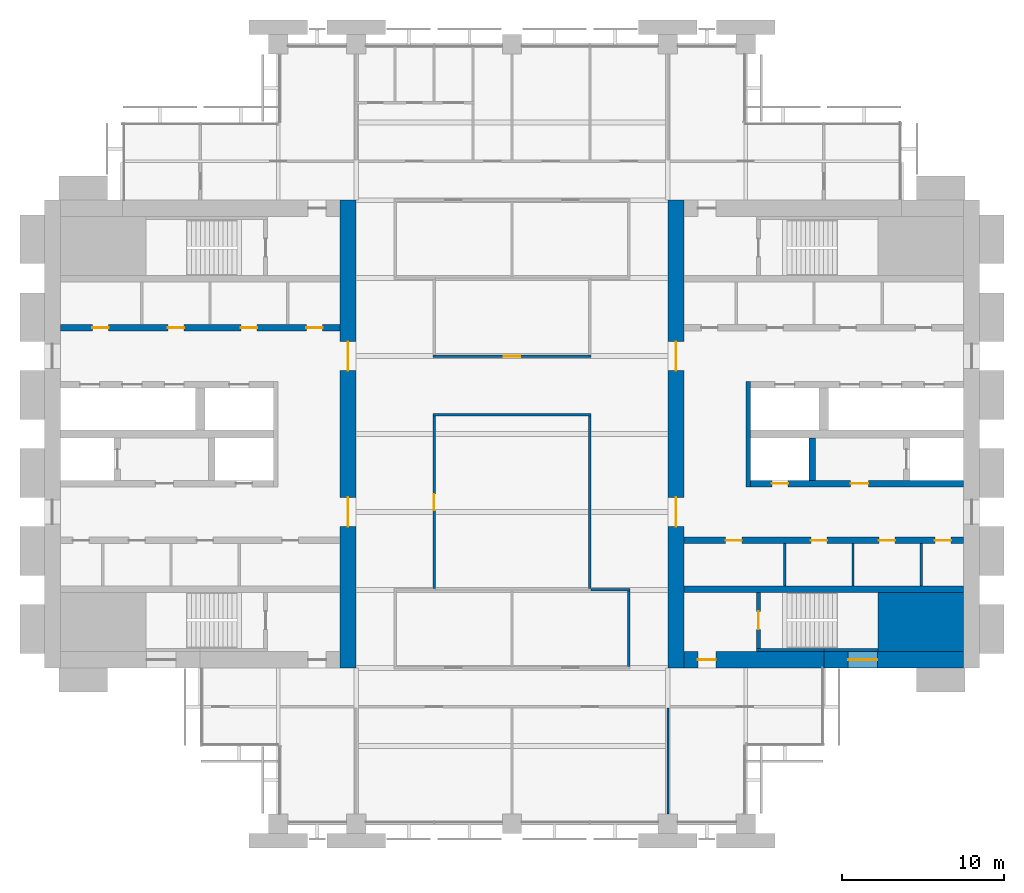
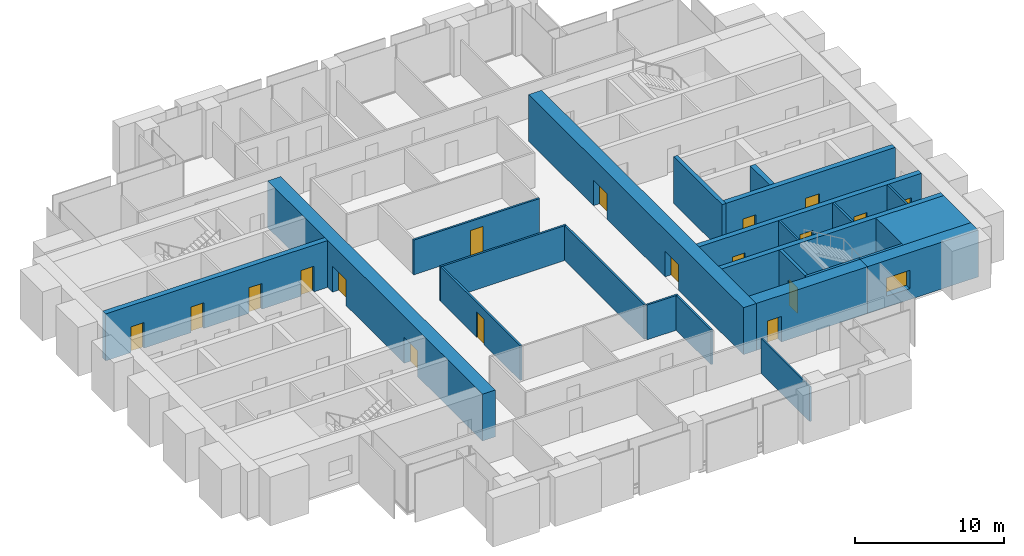
# One storey, part 10 of 14: 24 walls, 18 doors, 1 window, 19 openings.
"""IFC4 building model written with IfcOpenShell, lengths in metres."""

from ifc_helpers import new_model, si_unit, direction, frame, frame_2d, origin, place, context, subcontext, project, spatial, rectangle, extrude, material, layer, layer_set, type_object, element, fill, save


model = new_model("IFC4")

# Units and contexts
model_context = context("Model", 3, precision=1e-05, world=origin(), true_north=direction((0.0, 1.0)))
body_context = subcontext(model_context, "Body", "Model", "MODEL_VIEW")
ifc_project = project(units=[si_unit("LENGTHUNIT", "METRE"), si_unit("AREAUNIT", "SQUARE_METRE"), si_unit("VOLUMEUNIT", "CUBIC_METRE"), si_unit("PLANEANGLEUNIT", "RADIAN"), si_unit("MASSUNIT", "GRAM", prefix="KILO")], contexts=[model_context])

# Site, building, storey
site_placement = place(None, origin())
site = spatial("IfcSite", under=ifc_project, at=site_placement, CompositionType="ELEMENT")
building_placement = place(site_placement, origin())
building = spatial("IfcBuilding", under=site, at=building_placement, Name="Baori Bourse Tower", CompositionType="ELEMENT")
storey_placement = place(building_placement, frame((0.0, 0.0, 136.10009765625)))
storey = spatial("IfcBuildingStorey", under=building, at=storey_placement, Name="L29", CompositionType="ELEMENT", Elevation=136.10009765625)

# Walls
ifc_material_1 = material(Name="Concrete f'c 60 MPa", Category="concrete")
wall_type_1 = type_object("IfcWallType", Name="Core corner block f'c 60", PredefinedType="SHEAR", material=ifc_material_1)
wall_1_placement = place(storey_placement, frame((51.35009765625, 12.425048828125, 0.0), z_axis=(0.0, 0.0, 1.0), x_axis=(1.0, 0.0, 0.0)))
element("IfcWall", 1, at=wall_1_placement, inside=storey, type_object=wall_type_1, Name="Core wall E05", PredefinedType="SHEAR", context=body_context, shape_type="SweptSolid", body=[
    extrude(rectangle(XDim=5.25, YDim=3.64990234375, at=frame_2d((2.625, 0.0))), origin(), (0.0, 0.0, 1.0), 3.83984375),
])
ifc_material_2 = material(Name="Blockwork partition", Category="masonry")
ifc_layer_1 = layer(ifc_material_2, 0.14990234375)
ifc_layer_set_1 = layer_set([ifc_layer_1], Name="Core partition 150")
wall_type_2 = type_object("IfcWallType", Name="Core partition 150", PredefinedType="PARTITIONING", material=ifc_layer_set_1)
for number, where, z_axis, x_axis, name in (
    (2, (54.0, 14.64990234375, 0.0), (0.0, 0.0, 1.0), (0.0, 1.0, 0.0), "Partition wall E10"),
    (3, (49.800048828125, 14.64990234375, 0.0), (0.0, 0.0, 1.0), (0.0, 1.0, 0.0), "Partition wall E11"),
    (4, (45.60009765625, 14.64990234375, 0.0), (0.0, 0.0, 1.0), (0.0, 1.0, 0.0), "Partition wall E12"),
):
    element("IfcWall", number, at=place(storey_placement, frame(where, z_axis=z_axis, x_axis=x_axis)), inside=storey, type_object=wall_type_2, Name=name, PredefinedType="PARTITIONING", context=body_context, shape_type="SweptSolid", body=[
        extrude(rectangle(XDim=2.60009765625, YDim=0.14990234375, at=frame_2d((1.300048828125, 0.0))), origin(), (0.0, 0.0, 1.0), 3.83984375),
    ])

# Wall, openings, doors
ifc_material_3 = material(Name="Concrete f'c 60 MPa", Category="concrete")
ifc_layer_2 = layer(ifc_material_3, 1.0)
ifc_layer_set_2 = layer_set([ifc_layer_2], Name="Core wall 1000 f'c 60")
wall_type_3 = type_object("IfcWallType", Name="Core wall 1000 f'c 60", PredefinedType="SHEAR", material=ifc_layer_set_2)
wall_2_placement = place(storey_placement, frame((18.699951171875, 38.39990234375, 0.0), z_axis=(0.0, 0.0, 1.0), x_axis=(0.0, -1.0, 0.0)))
wall_2 = element("IfcWall", 5, at=wall_2_placement, inside=storey, type_object=wall_type_3, Name="Core wall W04", PredefinedType="SHEAR", context=body_context, shape_type="SweptSolid", body=[
    extrude(rectangle(XDim=28.7998046875, YDim=1.0, at=frame_2d((14.39990234375, 0.0))), origin(), (0.0, 0.0, 1.0), 3.83984375),
])
opening_1_placement = place(wall_2_placement, frame((18.300048828125, 0.0, 0.0)))
opening_1 = element("IfcOpeningElement", 6, at=opening_1_placement, cuts=wall_2, Name="Opening L29-D107", PredefinedType="OPENING", context=body_context, shape_type="SweptSolid", body=[
    extrude(rectangle(XDim=1.800048828125, YDim=2.10009765625, at=frame_2d((0.89990234375, 1.050048828125))), frame((0.0, 0.510009765625, 0.0), z_axis=(0.0, -1.0, 0.0), x_axis=(1.0, 0.0, 0.0)), (0.0, 0.0, 1.0), 1.02001953125),
])
opening_2_placement = place(wall_2_placement, frame((8.699951171875, 0.0, 0.0)))
opening_2 = element("IfcOpeningElement", 7, at=opening_2_placement, cuts=wall_2, Name="Opening L29-D108", PredefinedType="OPENING", context=body_context, shape_type="SweptSolid", body=[
    extrude(rectangle(XDim=1.800048828125, YDim=2.10009765625, at=frame_2d((0.89990234375, 1.050048828125))), frame((0.0, 0.510009765625, 0.0), z_axis=(0.0, -1.0, 0.0), x_axis=(1.0, 0.0, 0.0)), (0.0, 0.0, 1.0), 1.02001953125),
])
ifc_material_4 = material(Name="Painted steel door", Category="steel")
door_type_1 = type_object("IfcDoorType", Name="Core lobby door 1800", OperationType="DOUBLE_DOOR_SINGLE_SWING", PredefinedType="DOOR", material=ifc_material_4)
door_1_placement = place(opening_1_placement, origin())
door_1 = element("IfcDoor", 8, at=door_1_placement, inside=storey, type_object=door_type_1, Name="Lobby door W L29", OperationType="DOUBLE_DOOR_SINGLE_SWING", OverallHeight=2.10009765625, OverallWidth=1.800048828125, PredefinedType="DOOR", context=body_context, shape_type="SweptSolid", body=[
    extrude(rectangle(XDim=1.800048828125, YDim=2.10009765625, at=frame_2d((0.89990234375, 1.050048828125))), frame((0.0, 0.02490234375, 0.0), z_axis=(0.0, -1.0, 0.0), x_axis=(1.0, 0.0, 0.0)), (0.0, 0.0, 1.0), 0.050048828125),
])
fill(opening_1, door_1)
door_2_placement = place(opening_2_placement, origin())
door_2 = element("IfcDoor", 9, at=door_2_placement, inside=storey, type_object=door_type_1, Name="Lobby door W L29", OperationType="DOUBLE_DOOR_SINGLE_SWING", OverallHeight=2.10009765625, OverallWidth=1.800048828125, PredefinedType="DOOR", context=body_context, shape_type="SweptSolid", body=[
    extrude(rectangle(XDim=1.800048828125, YDim=2.10009765625, at=frame_2d((0.89990234375, 1.050048828125))), frame((0.0, 0.02490234375, 0.0), z_axis=(0.0, -1.0, 0.0), x_axis=(1.0, 0.0, 0.0)), (0.0, 0.0, 1.0), 0.050048828125),
])
fill(opening_2, door_2)

# Wall, opening, window
wall_3_placement = place(storey_placement, frame((56.60009765625, 10.10009765625, 0.0), z_axis=(0.0, 0.0, 1.0), x_axis=(-1.0, 0.0, 0.0)))
wall_3 = element("IfcWall", 10, at=wall_3_placement, inside=storey, type_object=wall_type_3, Name="Core wall E02", PredefinedType="SHEAR", context=body_context, shape_type="SweptSolid", body=[
    extrude(rectangle(XDim=8.60009765625, YDim=1.0, at=frame_2d((4.300048828125, 0.0))), origin(), (0.0, 0.0, 1.0), 3.83984375),
])
opening_3_placement = place(wall_3_placement, frame((5.300048828125, 0.0, 0.89990234375)))
opening_3 = element("IfcOpeningElement", 11, at=opening_3_placement, cuts=wall_3, Name="Opening L29-KW203", PredefinedType="OPENING", context=body_context, shape_type="SweptSolid", body=[
    extrude(rectangle(XDim=1.800048828125, YDim=1.5, at=frame_2d((0.89990234375, 0.75))), frame((0.0, 0.510009765625, 0.0), z_axis=(0.0, -1.0, 0.0), x_axis=(1.0, 0.0, 0.0)), (0.0, 0.0, 1.0), 1.02001953125),
])
ifc_material_5 = material(Name="Pale anodised aluminium", Category="aluminium")
window_type = type_object("IfcWindowType", Name="Stair window 1800 x 1500", PartitioningType="SINGLE_PANEL", PredefinedType="WINDOW", material=ifc_material_5)
window_placement = place(opening_3_placement, origin())
window = element("IfcWindow", 12, at=window_placement, inside=storey, type_object=window_type, Name="Stair window E L29 3", OverallHeight=1.5, OverallWidth=1.800048828125, PartitioningType="SINGLE_PANEL", PredefinedType="WINDOW", context=body_context, shape_type="SweptSolid", body=[
    extrude(rectangle(XDim=1.800048828125, YDim=1.5, at=frame_2d((0.89990234375, 0.75))), frame((0.0, 0.030029296875, 0.0), z_axis=(0.0, -1.0, 0.0), x_axis=(1.0, 0.0, 0.0)), (0.0, 0.0, 1.0), 0.06005859375),
])
fill(opening_3, window)

# Wall, opening, door
wall_4_placement = place(storey_placement, frame((48.0, 10.10009765625, 0.0), z_axis=(0.0, 0.0, 1.0), x_axis=(-1.0, 0.0, 0.0)))
wall_4 = element("IfcWall", 13, at=wall_4_placement, inside=storey, type_object=wall_type_3, Name="Core wall E03", PredefinedType="SHEAR", context=body_context, shape_type="SweptSolid", body=[
    extrude(rectangle(XDim=8.60009765625, YDim=1.0, at=frame_2d((4.300048828125, 0.0))), origin(), (0.0, 0.0, 1.0), 3.83984375),
])
opening_4_placement = place(wall_4_placement, frame((6.64990234375, 0.0, 0.0)))
opening_4 = element("IfcOpeningElement", 14, at=opening_4_placement, cuts=wall_4, Name="Opening L29-D202", PredefinedType="OPENING", context=body_context, shape_type="SweptSolid", body=[
    extrude(rectangle(XDim=1.10009765625, YDim=2.10009765625, at=frame_2d((0.550048828125, 1.050048828125))), frame((0.0, 0.510009765625, 0.0), z_axis=(0.0, -1.0, 0.0), x_axis=(1.0, 0.0, 0.0)), (0.0, 0.0, 1.0), 1.02001953125),
])
ifc_material_6 = material(Name="Painted steel door", Category="steel")
door_type_2 = type_object("IfcDoorType", Name="Stair door 1100", OperationType="SINGLE_SWING_LEFT", PredefinedType="DOOR", material=ifc_material_6)
door_3_placement = place(opening_4_placement, origin())
door_3 = element("IfcDoor", 15, at=door_3_placement, inside=storey, type_object=door_type_2, Name="Stair vestibule door A E L29", OperationType="SINGLE_SWING_LEFT", OverallHeight=2.10009765625, OverallWidth=1.10009765625, PredefinedType="DOOR", context=body_context, shape_type="SweptSolid", body=[
    extrude(rectangle(XDim=1.10009765625, YDim=2.10009765625, at=frame_2d((0.550048828125, 1.050048828125))), frame((0.0, 0.02490234375, 0.0), z_axis=(0.0, -1.0, 0.0), x_axis=(1.0, 0.0, 0.0)), (0.0, 0.0, 1.0), 0.050048828125),
])
fill(opening_4, door_3)

# Wall, openings, doors
wall_5_placement = place(storey_placement, frame((38.89990234375, 9.60009765625, 0.0), z_axis=(0.0, 0.0, 1.0), x_axis=(0.0, 1.0, 0.0)))
wall_5 = element("IfcWall", 16, at=wall_5_placement, inside=storey, type_object=wall_type_3, Name="Core wall E04", PredefinedType="SHEAR", context=body_context, shape_type="SweptSolid", body=[
    extrude(rectangle(XDim=28.7998046875, YDim=1.0, at=frame_2d((14.39990234375, 0.0))), origin(), (0.0, 0.0, 1.0), 3.83984375),
])
opening_5_placement = place(wall_5_placement, frame((8.699951171875, 0.0, 0.0)))
opening_5 = element("IfcOpeningElement", 17, at=opening_5_placement, cuts=wall_5, Name="Opening L29-D207", PredefinedType="OPENING", context=body_context, shape_type="SweptSolid", body=[
    extrude(rectangle(XDim=1.800048828125, YDim=2.10009765625, at=frame_2d((0.89990234375, 1.050048828125))), frame((0.0, 0.510009765625, 0.0), z_axis=(0.0, -1.0, 0.0), x_axis=(1.0, 0.0, 0.0)), (0.0, 0.0, 1.0), 1.02001953125),
])
opening_6_placement = place(wall_5_placement, frame((18.300048828125, 0.0, 0.0)))
opening_6 = element("IfcOpeningElement", 18, at=opening_6_placement, cuts=wall_5, Name="Opening L29-D208", PredefinedType="OPENING", context=body_context, shape_type="SweptSolid", body=[
    extrude(rectangle(XDim=1.800048828125, YDim=2.10009765625, at=frame_2d((0.89990234375, 1.050048828125))), frame((0.0, 0.510009765625, 0.0), z_axis=(0.0, -1.0, 0.0), x_axis=(1.0, 0.0, 0.0)), (0.0, 0.0, 1.0), 1.02001953125),
])
door_4_placement = place(opening_5_placement, origin())
door_4 = element("IfcDoor", 19, at=door_4_placement, inside=storey, type_object=door_type_1, Name="Lobby door E L29", OperationType="DOUBLE_DOOR_SINGLE_SWING", OverallHeight=2.10009765625, OverallWidth=1.800048828125, PredefinedType="DOOR", context=body_context, shape_type="SweptSolid", body=[
    extrude(rectangle(XDim=1.800048828125, YDim=2.10009765625, at=frame_2d((0.89990234375, 1.050048828125))), frame((0.0, 0.02490234375, 0.0), z_axis=(0.0, -1.0, 0.0), x_axis=(1.0, 0.0, 0.0)), (0.0, 0.0, 1.0), 0.050048828125),
])
fill(opening_5, door_4)
door_5_placement = place(opening_6_placement, origin())
door_5 = element("IfcDoor", 20, at=door_5_placement, inside=storey, type_object=door_type_1, Name="Lobby door E L29", OperationType="DOUBLE_DOOR_SINGLE_SWING", OverallHeight=2.10009765625, OverallWidth=1.800048828125, PredefinedType="DOOR", context=body_context, shape_type="SweptSolid", body=[
    extrude(rectangle(XDim=1.800048828125, YDim=2.10009765625, at=frame_2d((0.89990234375, 1.050048828125))), frame((0.0, 0.02490234375, 0.0), z_axis=(0.0, -1.0, 0.0), x_axis=(1.0, 0.0, 0.0)), (0.0, 0.0, 1.0), 0.050048828125),
])
fill(opening_6, door_5)

# Walls
ifc_material_7 = material(Name="Gypsum board partition")
ifc_layer_3 = layer(ifc_material_7, 0.14990234375)
ifc_layer_set_3 = layer_set([ifc_layer_3], Name="Corridor partition 150")
wall_type_4 = type_object("IfcWallType", Name="Corridor partition 150", PredefinedType="PARTITIONING", material=ifc_layer_set_3)
wall_6_placement = place(storey_placement, frame((33.675048828125, 14.39990234375, 0.0), z_axis=(0.0, 0.0, 1.0), x_axis=(1.0, 0.0, 0.0)))
element("IfcWall", 21, at=wall_6_placement, inside=storey, type_object=wall_type_4, Name="Partition", PredefinedType="PARTITIONING", context=body_context, shape_type="SweptSolid", body=[
    extrude(rectangle(XDim=2.39990234375, YDim=0.14990234375, at=frame_2d((1.199951171875, 0.0))), origin(), (0.0, 0.0, 1.0), 2.849365234375),
])
wall_7_placement = place(storey_placement, frame((23.925048828125, 25.199951171875, 0.0), z_axis=(0.0, 0.0, 1.0), x_axis=(1.0, 0.0, 0.0)))
element("IfcWall", 22, at=wall_7_placement, inside=storey, type_object=wall_type_4, Name="Partition", PredefinedType="PARTITIONING", context=body_context, shape_type="SweptSolid", body=[
    extrude(rectangle(XDim=9.75, YDim=0.14990234375, at=frame_2d((4.875, 0.0))), origin(), (0.0, 0.0, 1.0), 2.849365234375),
])

# Wall, opening, door
wall_8_placement = place(storey_placement, frame((23.925048828125, 28.800048828125, 0.0), z_axis=(0.0, 0.0, 1.0), x_axis=(1.0, 0.0, 0.0)))
wall_8 = element("IfcWall", 23, at=wall_8_placement, inside=storey, type_object=wall_type_4, Name="Partition", PredefinedType="PARTITIONING", context=body_context, shape_type="SweptSolid", body=[
    extrude(rectangle(XDim=9.75, YDim=0.14990234375, at=frame_2d((4.875, 0.0))), origin(), (0.0, 0.0, 1.0), 2.849365234375),
])
opening_7_placement = place(wall_8_placement, frame((4.375, 0.0, 0.0)))
opening_7 = element("IfcOpeningElement", 24, at=opening_7_placement, cuts=wall_8, Name="Opening L29-D07", PredefinedType="OPENING", context=body_context, shape_type="SweptSolid", body=[
    extrude(rectangle(XDim=1.0, YDim=2.10009765625, at=frame_2d((0.5, 1.050048828125))), frame((0.0, 0.0849609375, 0.0), z_axis=(0.0, -1.0, 0.0), x_axis=(1.0, 0.0, 0.0)), (0.0, 0.0, 1.0), 0.169921875),
])
ifc_material_8 = material(Name="Timber door leaf", Category="wood")
door_type_3 = type_object("IfcDoorType", Name="Door 1000 x 2100", OperationType="SINGLE_SWING_LEFT", PredefinedType="DOOR", material=ifc_material_8)
door_6_placement = place(opening_7_placement, origin())
door_6 = element("IfcDoor", 25, at=door_6_placement, inside=storey, type_object=door_type_3, Name="Door", OperationType="SINGLE_SWING_LEFT", OverallHeight=2.10009765625, OverallWidth=1.0, PredefinedType="DOOR", context=body_context, shape_type="SweptSolid", body=[
    extrude(rectangle(XDim=1.0, YDim=2.10009765625, at=frame_2d((0.5, 1.050048828125))), frame((0.0, 0.02490234375, 0.0), z_axis=(0.0, -1.0, 0.0), x_axis=(1.0, 0.0, 0.0)), (0.0, 0.0, 1.0), 0.050048828125),
])
fill(opening_7, door_6)

wall_9_placement = place(storey_placement, frame((24.0, 14.47509765625, 0.0), z_axis=(0.0, 0.0, 1.0), x_axis=(0.0, 1.0, 0.0)))
wall_9 = element("IfcWall", 26, at=wall_9_placement, inside=storey, type_object=wall_type_4, Name="Partition", PredefinedType="PARTITIONING", context=body_context, shape_type="SweptSolid", body=[
    extrude(rectangle(XDim=10.64990234375, YDim=0.14990234375, at=frame_2d((5.324951171875, 0.0))), origin(), (0.0, 0.0, 1.0), 2.849365234375),
])
opening_8_placement = place(wall_9_placement, frame((4.824951171875, 0.0, 0.0)))
opening_8 = element("IfcOpeningElement", 27, at=opening_8_placement, cuts=wall_9, Name="Opening L29-D20", PredefinedType="OPENING", context=body_context, shape_type="SweptSolid", body=[
    extrude(rectangle(XDim=1.0, YDim=2.10009765625, at=frame_2d((0.5, 1.050048828125))), frame((0.0, 0.0849609375, 0.0), z_axis=(0.0, -1.0, 0.0), x_axis=(1.0, 0.0, 0.0)), (0.0, 0.0, 1.0), 0.169921875),
])
door_7_placement = place(opening_8_placement, origin())
door_7 = element("IfcDoor", 28, at=door_7_placement, inside=storey, type_object=door_type_3, Name="Door", OperationType="SINGLE_SWING_RIGHT", OverallHeight=2.10009765625, OverallWidth=1.0, PredefinedType="DOOR", context=body_context, shape_type="SweptSolid", body=[
    extrude(rectangle(XDim=1.0, YDim=2.10009765625, at=frame_2d((0.5, 1.050048828125))), frame((0.0, 0.02490234375, 0.0), z_axis=(0.0, -1.0, 0.0), x_axis=(1.0, 0.0, 0.0)), (0.0, 0.0, 1.0), 0.050048828125),
])
fill(opening_8, door_7)

# Walls
wall_10_placement = place(storey_placement, frame((33.60009765625, 14.47509765625, 0.0), z_axis=(0.0, 0.0, 1.0), x_axis=(0.0, 1.0, 0.0)))
element("IfcWall", 29, at=wall_10_placement, inside=storey, type_object=wall_type_4, Name="Partition", PredefinedType="PARTITIONING", context=body_context, shape_type="SweptSolid", body=[
    extrude(rectangle(XDim=10.64990234375, YDim=0.14990234375, at=frame_2d((5.324951171875, 0.0))), origin(), (0.0, 0.0, 1.0), 2.849365234375),
])
wall_11_placement = place(storey_placement, frame((36.0, 9.675048828125, 0.0), z_axis=(0.0, 0.0, 1.0), x_axis=(0.0, 1.0, 0.0)))
element("IfcWall", 30, at=wall_11_placement, inside=storey, type_object=wall_type_4, Name="Partition", PredefinedType="PARTITIONING", context=body_context, shape_type="SweptSolid", body=[
    extrude(rectangle(XDim=4.64990234375, YDim=0.14990234375, at=frame_2d((2.324951171875, 0.0))), origin(), (0.0, 0.0, 1.0), 2.849365234375),
])
ifc_material_9 = material(Name="Gypsum board partition")
ifc_layer_4 = layer(ifc_material_9, 0.125)
ifc_layer_set_4 = layer_set([ifc_layer_4], Name="Partition 125")
wall_type_5 = type_object("IfcWallType", Name="Partition 125", PredefinedType="PARTITIONING", material=ifc_layer_set_4)
wall_12_placement = place(storey_placement, frame((38.39990234375, 0.60009765625, 0.0), z_axis=(0.0, 0.0, 1.0), x_axis=(0.0, 1.0, 0.0)))
element("IfcWall", 31, at=wall_12_placement, inside=storey, type_object=wall_type_5, Name="Partition", PredefinedType="PARTITIONING", context=body_context, shape_type="SweptSolid", body=[
    extrude(rectangle(XDim=6.52490234375, YDim=0.125, at=frame_2d((3.262451171875, 0.0))), origin(), (0.0, 0.0, 1.0), 2.849365234375),
])
ifc_material_10 = material(Name="Concrete f'c 60 MPa", Category="concrete")
ifc_layer_5 = layer(ifc_material_10, 0.199951171875)
ifc_layer_set_5 = layer_set([ifc_layer_5], Name="Shaft wall 200 f'c 60")
wall_type_6 = type_object("IfcWallType", Name="Shaft wall 200 f'c 60", PredefinedType="SHEAR", material=ifc_layer_set_5)
wall_13_placement = place(storey_placement, frame((48.0, 10.699951171875, 0.0), z_axis=(0.0, 0.0, 1.0), x_axis=(1.0, 0.0, 0.0)))
element("IfcWall", 32, at=wall_13_placement, inside=storey, type_object=wall_type_6, Name="Core wall E06", PredefinedType="SHEAR", context=body_context, shape_type="SweptSolid", body=[
    extrude(rectangle(XDim=3.35009765625, YDim=0.199951171875, at=frame_2d((1.675048828125, 0.0))), origin(), (0.0, 0.0, 1.0), 3.83984375),
])
wall_14_placement = place(storey_placement, frame((43.85009765625, 10.699951171875, 0.0), z_axis=(0.0, 0.0, 1.0), x_axis=(1.0, 0.0, 0.0)))
element("IfcWall", 33, at=wall_14_placement, inside=storey, type_object=wall_type_6, Name="Core wall E07", PredefinedType="SHEAR", context=body_context, shape_type="SweptSolid", body=[
    extrude(rectangle(XDim=4.14990234375, YDim=0.199951171875, at=frame_2d((2.074951171875, 0.0))), origin(), (0.0, 0.0, 1.0), 3.83984375),
])

# Wall, opening, door
ifc_material_11 = material(Name="Concrete f'c 60 MPa", Category="concrete")
ifc_layer_6 = layer(ifc_material_11, 0.25)
ifc_layer_set_6 = layer_set([ifc_layer_6], Name="Shaft wall 250 f'c 60")
wall_type_7 = type_object("IfcWallType", Name="Shaft wall 250 f'c 60", PredefinedType="SHEAR", material=ifc_layer_set_6)
wall_15_placement = place(storey_placement, frame((43.97509765625, 10.800048828125, 0.0), z_axis=(0.0, 0.0, 1.0), x_axis=(0.0, 1.0, 0.0)))
wall_15 = element("IfcWall", 34, at=wall_15_placement, inside=storey, type_object=wall_type_7, Name="Core wall E08", PredefinedType="SHEAR", context=body_context, shape_type="SweptSolid", body=[
    extrude(rectangle(XDim=3.449951171875, YDim=0.25, at=frame_2d((1.72509765625, 0.0))), origin(), (0.0, 0.0, 1.0), 3.83984375),
])
opening_9_placement = place(wall_15_placement, frame((1.175048828125, 0.0, 0.0)))
opening_9 = element("IfcOpeningElement", 35, at=opening_9_placement, cuts=wall_15, Name="Opening L29-D201", PredefinedType="OPENING", context=body_context, shape_type="SweptSolid", body=[
    extrude(rectangle(XDim=1.10009765625, YDim=2.10009765625, at=frame_2d((0.550048828125, 1.050048828125))), frame((0.0, 0.135009765625, 0.0), z_axis=(0.0, -1.0, 0.0), x_axis=(1.0, 0.0, 0.0)), (0.0, 0.0, 1.0), 0.27001953125),
])
door_8_placement = place(opening_9_placement, origin())
door_8 = element("IfcDoor", 36, at=door_8_placement, inside=storey, type_object=door_type_2, Name="Stair door A E L29", OperationType="SINGLE_SWING_LEFT", OverallHeight=2.10009765625, OverallWidth=1.10009765625, PredefinedType="DOOR", context=body_context, shape_type="SweptSolid", body=[
    extrude(rectangle(XDim=1.10009765625, YDim=2.10009765625, at=frame_2d((0.550048828125, 1.050048828125))), frame((0.0, 0.02490234375, 0.0), z_axis=(0.0, -1.0, 0.0), x_axis=(1.0, 0.0, 0.0)), (0.0, 0.0, 1.0), 0.050048828125),
])
fill(opening_9, door_8)

# Wall
ifc_material_12 = material(Name="Concrete f'c 60 MPa", Category="concrete")
ifc_layer_7 = layer(ifc_material_12, 0.300048828125)
ifc_layer_set_7 = layer_set([ifc_layer_7], Name="Shaft wall 300 f'c 60")
wall_type_8 = type_object("IfcWallType", Name="Shaft wall 300 f'c 60", PredefinedType="SHEAR", material=ifc_layer_set_7)
wall_16_placement = place(storey_placement, frame((43.35009765625, 20.75, 0.0), z_axis=(0.0, 0.0, 1.0), x_axis=(0.0, 1.0, 0.0)))
element("IfcWall", 37, at=wall_16_placement, inside=storey, type_object=wall_type_8, Name="Core wall E15", PredefinedType="SHEAR", context=body_context, shape_type="SweptSolid", body=[
    extrude(rectangle(XDim=6.5, YDim=0.300048828125, at=frame_2d((3.25, 0.0))), origin(), (0.0, 0.0, 1.0), 3.83984375),
])

# Wall, openings, doors
ifc_material_13 = material(Name="Concrete f'c 60 MPa", Category="concrete")
ifc_layer_8 = layer(ifc_material_13, 0.39990234375)
ifc_layer_set_8 = layer_set([ifc_layer_8], Name="Shaft wall 400 f'c 60")
wall_type_9 = type_object("IfcWallType", Name="Shaft wall 400 f'c 60", PredefinedType="SHEAR", material=ifc_layer_set_8)
wall_17_placement = place(storey_placement, frame((1.0, 30.550048828125, 0.0), z_axis=(0.0, 0.0, 1.0), x_axis=(1.0, 0.0, 0.0)))
wall_17 = element("IfcWall", 38, at=wall_17_placement, inside=storey, type_object=wall_type_9, Name="Core wall W21", PredefinedType="SHEAR", context=body_context, shape_type="SweptSolid", body=[
    extrude(rectangle(XDim=17.199951171875, YDim=0.39990234375, at=frame_2d((8.60009765625, 0.0))), origin(), (0.0, 0.0, 1.0), 3.83984375),
])
opening_10_placement = place(wall_17_placement, frame((1.96240234375, 0.0, 0.0)))
opening_10 = element("IfcOpeningElement", 39, at=opening_10_placement, cuts=wall_17, Name="Opening L29-D109", PredefinedType="OPENING", context=body_context, shape_type="SweptSolid", body=[
    extrude(rectangle(XDim=1.0, YDim=2.10009765625, at=frame_2d((0.5, 1.050048828125))), frame((0.0, 0.2099609375, 0.0), z_axis=(0.0, -1.0, 0.0), x_axis=(1.0, 0.0, 0.0)), (0.0, 0.0, 1.0), 0.419921875),
])
opening_11_placement = place(wall_17_placement, frame((6.60009765625, 0.0, 0.0)))
opening_11 = element("IfcOpeningElement", 40, at=opening_11_placement, cuts=wall_17, Name="Opening L29-D110", PredefinedType="OPENING", context=body_context, shape_type="SweptSolid", body=[
    extrude(rectangle(XDim=1.0, YDim=2.10009765625, at=frame_2d((0.5, 1.050048828125))), frame((0.0, 0.2099609375, 0.0), z_axis=(0.0, -1.0, 0.0), x_axis=(1.0, 0.0, 0.0)), (0.0, 0.0, 1.0), 0.419921875),
])
opening_12_placement = place(wall_17_placement, frame((11.10009765625, 0.0, 0.0)))
opening_12 = element("IfcOpeningElement", 41, at=opening_12_placement, cuts=wall_17, Name="Opening L29-D111", PredefinedType="OPENING", context=body_context, shape_type="SweptSolid", body=[
    extrude(rectangle(XDim=1.0, YDim=2.10009765625, at=frame_2d((0.5, 1.050048828125))), frame((0.0, 0.2099609375, 0.0), z_axis=(0.0, -1.0, 0.0), x_axis=(1.0, 0.0, 0.0)), (0.0, 0.0, 1.0), 0.419921875),
])
opening_13_placement = place(wall_17_placement, frame((15.137451171875, 0.0, 0.0)))
opening_13 = element("IfcOpeningElement", 42, at=opening_13_placement, cuts=wall_17, Name="Opening L29-D112", PredefinedType="OPENING", context=body_context, shape_type="SweptSolid", body=[
    extrude(rectangle(XDim=1.0, YDim=2.10009765625, at=frame_2d((0.5, 1.050048828125))), frame((0.0, 0.2099609375, 0.0), z_axis=(0.0, -1.0, 0.0), x_axis=(1.0, 0.0, 0.0)), (0.0, 0.0, 1.0), 0.419921875),
])
ifc_material_14 = material(Name="Painted steel door", Category="steel")
door_type_4 = type_object("IfcDoorType", Name="Core door 1000", OperationType="SINGLE_SWING_LEFT", PredefinedType="DOOR", material=ifc_material_14)
door_9_placement = place(opening_10_placement, origin())
door_9 = element("IfcDoor", 43, at=door_9_placement, inside=storey, type_object=door_type_4, Name="Men'S Wc door W L29", OperationType="SINGLE_SWING_LEFT", OverallHeight=2.10009765625, OverallWidth=1.0, PredefinedType="DOOR", context=body_context, shape_type="SweptSolid", body=[
    extrude(rectangle(XDim=1.0, YDim=2.10009765625, at=frame_2d((0.5, 1.050048828125))), frame((0.0, 0.02490234375, 0.0), z_axis=(0.0, -1.0, 0.0), x_axis=(1.0, 0.0, 0.0)), (0.0, 0.0, 1.0), 0.050048828125),
])
fill(opening_10, door_9)
door_10_placement = place(opening_11_placement, origin())
door_10 = element("IfcDoor", 44, at=door_10_placement, inside=storey, type_object=door_type_4, Name="Accessible Wc door W L29", OperationType="SINGLE_SWING_LEFT", OverallHeight=2.10009765625, OverallWidth=1.0, PredefinedType="DOOR", context=body_context, shape_type="SweptSolid", body=[
    extrude(rectangle(XDim=1.0, YDim=2.10009765625, at=frame_2d((0.5, 1.050048828125))), frame((0.0, 0.02490234375, 0.0), z_axis=(0.0, -1.0, 0.0), x_axis=(1.0, 0.0, 0.0)), (0.0, 0.0, 1.0), 0.050048828125),
])
fill(opening_11, door_10)
door_11_placement = place(opening_12_placement, origin())
door_11 = element("IfcDoor", 45, at=door_11_placement, inside=storey, type_object=door_type_4, Name="Women'S Wc door W L29", OperationType="SINGLE_SWING_LEFT", OverallHeight=2.10009765625, OverallWidth=1.0, PredefinedType="DOOR", context=body_context, shape_type="SweptSolid", body=[
    extrude(rectangle(XDim=1.0, YDim=2.10009765625, at=frame_2d((0.5, 1.050048828125))), frame((0.0, 0.02490234375, 0.0), z_axis=(0.0, -1.0, 0.0), x_axis=(1.0, 0.0, 0.0)), (0.0, 0.0, 1.0), 0.050048828125),
])
fill(opening_12, door_11)
ifc_material_15 = material(Name="Painted steel door", Category="steel")
door_type_5 = type_object("IfcDoorType", Name="Plant room door 1000", OperationType="SINGLE_SWING_LEFT", PredefinedType="DOOR", material=ifc_material_15)
door_12_placement = place(opening_13_placement, origin())
door_12 = element("IfcDoor", 46, at=door_12_placement, inside=storey, type_object=door_type_5, Name="Plumbing Equipment Room door W L29", OperationType="SINGLE_SWING_LEFT", OverallHeight=2.10009765625, OverallWidth=1.0, PredefinedType="DOOR", context=body_context, shape_type="SweptSolid", body=[
    extrude(rectangle(XDim=1.0, YDim=2.10009765625, at=frame_2d((0.5, 1.050048828125))), frame((0.0, 0.02490234375, 0.0), z_axis=(0.0, -1.0, 0.0), x_axis=(1.0, 0.0, 0.0)), (0.0, 0.0, 1.0), 0.050048828125),
])
fill(opening_13, door_12)

# Wall
wall_18_placement = place(storey_placement, frame((39.39990234375, 14.449951171875, 0.0), z_axis=(0.0, 0.0, 1.0), x_axis=(1.0, 0.0, 0.0)))
element("IfcWall", 47, at=wall_18_placement, inside=storey, type_object=wall_type_9, Name="Core wall E09", PredefinedType="SHEAR", context=body_context, shape_type="SweptSolid", body=[
    extrude(rectangle(XDim=17.2001953125, YDim=0.39990234375, at=frame_2d((8.60009765625, 0.0))), origin(), (0.0, 0.0, 1.0), 3.83984375),
])

# Wall, openings, doors
wall_19_placement = place(storey_placement, frame((39.39990234375, 17.449951171875, 0.0), z_axis=(0.0, 0.0, 1.0), x_axis=(1.0, 0.0, 0.0)))
wall_19 = element("IfcWall", 48, at=wall_19_placement, inside=storey, type_object=wall_type_9, Name="Core wall E13", PredefinedType="SHEAR", context=body_context, shape_type="SweptSolid", body=[
    extrude(rectangle(XDim=17.2001953125, YDim=0.39990234375, at=frame_2d((8.60009765625, 0.0))), origin(), (0.0, 0.0, 1.0), 3.83984375),
])
opening_14_placement = place(wall_19_placement, frame((15.4375, 0.0, 0.0)))
opening_14 = element("IfcOpeningElement", 49, at=opening_14_placement, cuts=wall_19, Name="Opening L29-D213", PredefinedType="OPENING", context=body_context, shape_type="SweptSolid", body=[
    extrude(rectangle(XDim=1.0, YDim=2.10009765625, at=frame_2d((0.5, 1.050048828125))), frame((0.0, 0.2099609375, 0.0), z_axis=(0.0, -1.0, 0.0), x_axis=(1.0, 0.0, 0.0)), (0.0, 0.0, 1.0), 0.419921875),
])
opening_15_placement = place(wall_19_placement, frame((12.0, 0.0, 0.0)))
opening_15 = element("IfcOpeningElement", 50, at=opening_15_placement, cuts=wall_19, Name="Opening L29-D214", PredefinedType="OPENING", context=body_context, shape_type="SweptSolid", body=[
    extrude(rectangle(XDim=1.0, YDim=2.10009765625, at=frame_2d((0.5, 1.050048828125))), frame((0.0, 0.2099609375, 0.0), z_axis=(0.0, -1.0, 0.0), x_axis=(1.0, 0.0, 0.0)), (0.0, 0.0, 1.0), 0.419921875),
])
opening_16_placement = place(wall_19_placement, frame((7.800048828125, 0.0, 0.0)))
opening_16 = element("IfcOpeningElement", 51, at=opening_16_placement, cuts=wall_19, Name="Opening L29-D215", PredefinedType="OPENING", context=body_context, shape_type="SweptSolid", body=[
    extrude(rectangle(XDim=1.0, YDim=2.10009765625, at=frame_2d((0.5, 1.050048828125))), frame((0.0, 0.2099609375, 0.0), z_axis=(0.0, -1.0, 0.0), x_axis=(1.0, 0.0, 0.0)), (0.0, 0.0, 1.0), 0.419921875),
])
opening_17_placement = place(wall_19_placement, frame((2.5625, 0.0, 0.0)))
opening_17 = element("IfcOpeningElement", 52, at=opening_17_placement, cuts=wall_19, Name="Opening L29-D216", PredefinedType="OPENING", context=body_context, shape_type="SweptSolid", body=[
    extrude(rectangle(XDim=1.0, YDim=2.10009765625, at=frame_2d((0.5, 1.050048828125))), frame((0.0, 0.2099609375, 0.0), z_axis=(0.0, -1.0, 0.0), x_axis=(1.0, 0.0, 0.0)), (0.0, 0.0, 1.0), 0.419921875),
])
door_13_placement = place(opening_14_placement, origin())
door_13 = element("IfcDoor", 53, at=door_13_placement, inside=storey, type_object=door_type_4, Name="Janitor'S Closet door E L29", OperationType="SINGLE_SWING_LEFT", OverallHeight=2.10009765625, OverallWidth=1.0, PredefinedType="DOOR", context=body_context, shape_type="SweptSolid", body=[
    extrude(rectangle(XDim=1.0, YDim=2.10009765625, at=frame_2d((0.5, 1.050048828125))), frame((0.0, 0.02490234375, 0.0), z_axis=(0.0, -1.0, 0.0), x_axis=(1.0, 0.0, 0.0)), (0.0, 0.0, 1.0), 0.050048828125),
])
fill(opening_14, door_13)
door_14_placement = place(opening_15_placement, origin())
door_14 = element("IfcDoor", 54, at=door_14_placement, inside=storey, type_object=door_type_4, Name="Women'S Wc door E L29", OperationType="SINGLE_SWING_LEFT", OverallHeight=2.10009765625, OverallWidth=1.0, PredefinedType="DOOR", context=body_context, shape_type="SweptSolid", body=[
    extrude(rectangle(XDim=1.0, YDim=2.10009765625, at=frame_2d((0.5, 1.050048828125))), frame((0.0, 0.02490234375, 0.0), z_axis=(0.0, -1.0, 0.0), x_axis=(1.0, 0.0, 0.0)), (0.0, 0.0, 1.0), 0.050048828125),
])
fill(opening_15, door_14)
door_15_placement = place(opening_16_placement, origin())
door_15 = element("IfcDoor", 55, at=door_15_placement, inside=storey, type_object=door_type_4, Name="Accessible Wc door E L29", OperationType="SINGLE_SWING_LEFT", OverallHeight=2.10009765625, OverallWidth=1.0, PredefinedType="DOOR", context=body_context, shape_type="SweptSolid", body=[
    extrude(rectangle(XDim=1.0, YDim=2.10009765625, at=frame_2d((0.5, 1.050048828125))), frame((0.0, 0.02490234375, 0.0), z_axis=(0.0, -1.0, 0.0), x_axis=(1.0, 0.0, 0.0)), (0.0, 0.0, 1.0), 0.050048828125),
])
fill(opening_16, door_15)
door_16_placement = place(opening_17_placement, origin())
door_16 = element("IfcDoor", 56, at=door_16_placement, inside=storey, type_object=door_type_4, Name="Men'S Wc door E L29", OperationType="SINGLE_SWING_LEFT", OverallHeight=2.10009765625, OverallWidth=1.0, PredefinedType="DOOR", context=body_context, shape_type="SweptSolid", body=[
    extrude(rectangle(XDim=1.0, YDim=2.10009765625, at=frame_2d((0.5, 1.050048828125))), frame((0.0, 0.02490234375, 0.0), z_axis=(0.0, -1.0, 0.0), x_axis=(1.0, 0.0, 0.0)), (0.0, 0.0, 1.0), 0.050048828125),
])
fill(opening_17, door_16)

wall_20_placement = place(storey_placement, frame((43.5, 20.949951171875, 0.0), z_axis=(0.0, 0.0, 1.0), x_axis=(1.0, 0.0, 0.0)))
wall_20 = element("IfcWall", 57, at=wall_20_placement, inside=storey, type_object=wall_type_9, Name="Core wall E14", PredefinedType="SHEAR", context=body_context, shape_type="SweptSolid", body=[
    extrude(rectangle(XDim=13.10009765625, YDim=0.39990234375, at=frame_2d((6.550048828125, 0.0))), origin(), (0.0, 0.0, 1.0), 3.83984375),
])
opening_18_placement = place(wall_20_placement, frame((6.14990234375, 0.0, 0.0)))
opening_18 = element("IfcOpeningElement", 58, at=opening_18_placement, cuts=wall_20, Name="Opening L29-D205", PredefinedType="OPENING", context=body_context, shape_type="SweptSolid", body=[
    extrude(rectangle(XDim=1.10009765625, YDim=2.10009765625, at=frame_2d((0.550048828125, 1.050048828125))), frame((0.0, 0.2099609375, 0.0), z_axis=(0.0, -1.0, 0.0), x_axis=(1.0, 0.0, 0.0)), (0.0, 0.0, 1.0), 0.419921875),
])
opening_19_placement = place(wall_20_placement, frame((1.300048828125, 0.0, 0.0)))
opening_19 = element("IfcOpeningElement", 59, at=opening_19_placement, cuts=wall_20, Name="Opening L29-D206", PredefinedType="OPENING", context=body_context, shape_type="SweptSolid", body=[
    extrude(rectangle(XDim=1.0, YDim=2.10009765625, at=frame_2d((0.5, 1.050048828125))), frame((0.0, 0.2099609375, 0.0), z_axis=(0.0, -1.0, 0.0), x_axis=(1.0, 0.0, 0.0)), (0.0, 0.0, 1.0), 0.419921875),
])
ifc_material_16 = material(Name="Painted steel door", Category="steel")
door_type_6 = type_object("IfcDoorType", Name="Lobby door 1100", OperationType="SINGLE_SWING_LEFT", PredefinedType="DOOR", material=ifc_material_16)
door_17_placement = place(opening_18_placement, origin())
door_17 = element("IfcDoor", 60, at=door_17_placement, inside=storey, type_object=door_type_6, Name="Firefighting lobby door E L29", OperationType="SINGLE_SWING_LEFT", OverallHeight=2.10009765625, OverallWidth=1.10009765625, PredefinedType="DOOR", context=body_context, shape_type="SweptSolid", body=[
    extrude(rectangle(XDim=1.10009765625, YDim=2.10009765625, at=frame_2d((0.550048828125, 1.050048828125))), frame((0.0, 0.02490234375, 0.0), z_axis=(0.0, -1.0, 0.0), x_axis=(1.0, 0.0, 0.0)), (0.0, 0.0, 1.0), 0.050048828125),
])
fill(opening_18, door_17)
ifc_material_17 = material(Name="Painted steel door", Category="steel")
door_type_7 = type_object("IfcDoorType", Name="Shaft door 1000", OperationType="SINGLE_SWING_LEFT", PredefinedType="DOOR", material=ifc_material_17)
door_18_placement = place(opening_19_placement, origin())
door_18 = element("IfcDoor", 61, at=door_18_placement, inside=storey, type_object=door_type_7, Name="Riser room door E L29", OperationType="SINGLE_SWING_LEFT", OverallHeight=2.10009765625, OverallWidth=1.0, PredefinedType="DOOR", context=body_context, shape_type="SweptSolid", body=[
    extrude(rectangle(XDim=1.0, YDim=2.10009765625, at=frame_2d((0.5, 1.050048828125))), frame((0.0, 0.02490234375, 0.0), z_axis=(0.0, -1.0, 0.0), x_axis=(1.0, 0.0, 0.0)), (0.0, 0.0, 1.0), 0.050048828125),
])
fill(opening_19, door_18)

# Wall
wall_21_placement = place(storey_placement, frame((47.300048828125, 21.14990234375, 0.0), z_axis=(0.0, 0.0, 1.0), x_axis=(0.0, 1.0, 0.0)))
element("IfcWall", 62, at=wall_21_placement, inside=storey, type_object=wall_type_9, Name="Core wall E17", PredefinedType="SHEAR", context=body_context, shape_type="SweptSolid", body=[
    extrude(rectangle(XDim=2.60009765625, YDim=0.39990234375, at=frame_2d((1.300048828125, 0.0))), origin(), (0.0, 0.0, 1.0), 3.83984375),
])

save(model, "model.ifc")
